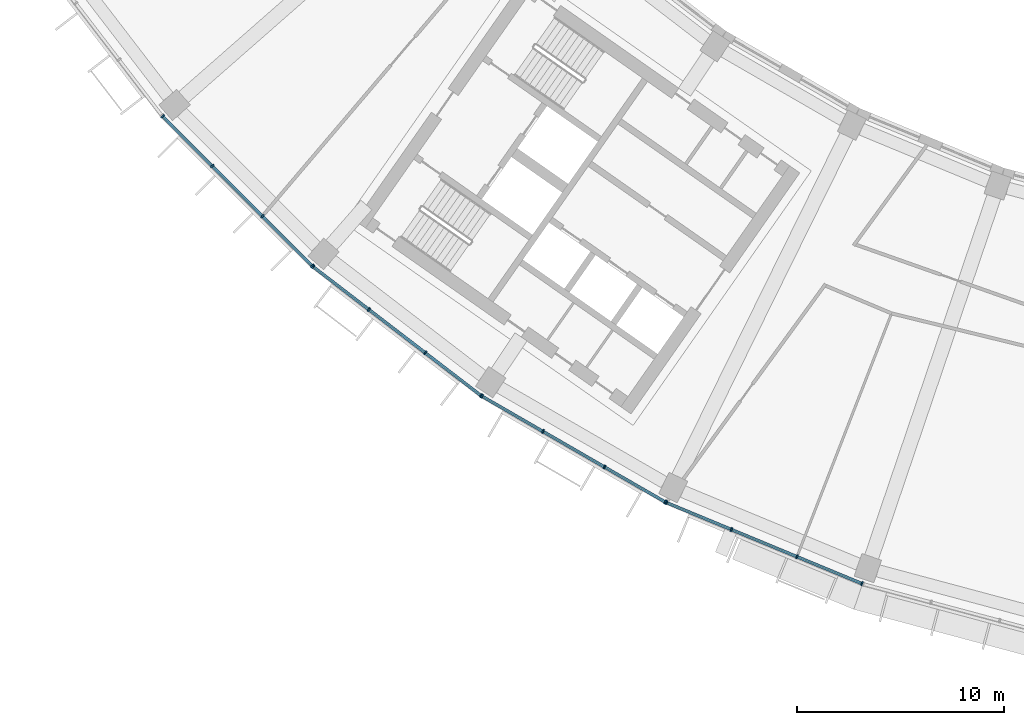
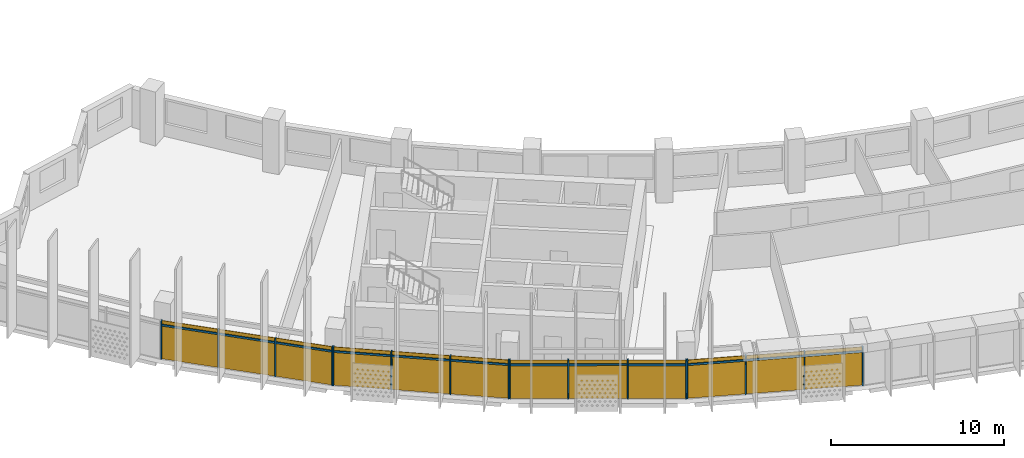
# One storey, part 17 of 28: 28 members, 4 curtain walls.
"""IFC4 building model written with IfcOpenShell, lengths in metres."""

from ifc_helpers import new_model, si_unit, direction, frame, origin, origin_2d, place, context, subcontext, project, spatial, rectangle, extrude, material, material_profile, profile_set, type_object, element, aggregate, save


model = new_model("IFC4")

# Units and contexts
model_context = context("Model", 3, precision=1e-05, world=origin(), true_north=direction((0.0, 1.0)))
body_context = subcontext(model_context, "Body", "Model", "MODEL_VIEW")
ifc_project = project(units=[si_unit("LENGTHUNIT", "METRE"), si_unit("AREAUNIT", "SQUARE_METRE"), si_unit("VOLUMEUNIT", "CUBIC_METRE"), si_unit("PLANEANGLEUNIT", "RADIAN"), si_unit("MASSUNIT", "GRAM", prefix="KILO")], contexts=[model_context])

# Member
ifc_material = material(Name="Aluminium 6063-T6 anodised", Category="aluminium")
ifc_material_profile_1 = material_profile(ifc_material, rectangle(XDim=0.199951171875, YDim=0.070068359375, at=origin_2d()))
ifc_profile_set_1 = profile_set([ifc_material_profile_1], Name="Aluminium 6063-T6 anodised")
member_type_1 = type_object("IfcMemberType", Name="Mullion 70 x 200 aluminium", PredefinedType="MULLION", material=ifc_profile_set_1)
site_placement = place(None, origin())
building_placement = place(site_placement, origin())
storey_placement = place(building_placement, frame((0.0, 0.0, 226.5)))
member_1_placement = place(storey_placement, frame((-59.03662109375, -51.8115234375, 0.0), z_axis=(0.0, 0.0, 1.0), x_axis=(0.707106781187, 0.707106781187, 0.0)))
member_1 = element("IfcMember", 1, at=member_1_placement, type_object=member_type_1, Name="e-cw1-L54-out02/M00", PredefinedType="MULLION", context=body_context, shape_type="SweptSolid", body=[
    extrude(rectangle(XDim=0.199951171875, YDim=0.070068359375, at=origin_2d()), origin(), (0.0, 0.0, 1.0), 2.699951171875),
])

member_2_placement = place(storey_placement, frame((-56.63671875, -54.211669921875, 0.0), z_axis=(0.0, 0.0, 1.0), x_axis=(0.707106781187, 0.707106781187, 0.0)))
member_2 = element("IfcMember", 2, at=member_2_placement, type_object=member_type_1, Name="e-cw1-L54-out02/M01", PredefinedType="MULLION", context=body_context, shape_type="SweptSolid", body=[
    extrude(rectangle(XDim=0.199951171875, YDim=0.070068359375, at=origin_2d()), origin(), (0.0, 0.0, 1.0), 2.699951171875),
])

member_3_placement = place(storey_placement, frame((-54.211669921875, -56.63671875, 0.0), z_axis=(0.0, 0.0, 1.0), x_axis=(0.707106781187, 0.707106781187, 0.0)))
member_3 = element("IfcMember", 3, at=member_3_placement, type_object=member_type_1, Name="e-cw1-L54-out02/M02", PredefinedType="MULLION", context=body_context, shape_type="SweptSolid", body=[
    extrude(rectangle(XDim=0.199951171875, YDim=0.070068359375, at=origin_2d()), origin(), (0.0, 0.0, 1.0), 2.699951171875),
])

member_4_placement = place(storey_placement, frame((-51.8115234375, -59.03662109375, 0.0), z_axis=(0.0, 0.0, 1.0), x_axis=(0.707106781187, 0.707106781187, 0.0)))
member_4 = element("IfcMember", 4, at=member_4_placement, type_object=member_type_1, Name="e-cw1-L54-out02/M03", PredefinedType="MULLION", context=body_context, shape_type="SweptSolid", body=[
    extrude(rectangle(XDim=0.199951171875, YDim=0.070068359375, at=origin_2d()), origin(), (0.0, 0.0, 1.0), 2.699951171875),
])

member_5_placement = place(storey_placement, frame((-51.768798828125, -59.07421875, 0.0), z_axis=(0.0, 0.0, 1.0), x_axis=(0.608761429009, 0.793353340291, 0.0)))
member_5 = element("IfcMember", 5, at=member_5_placement, type_object=member_type_1, Name="e-cw1-L54-out03/M00", PredefinedType="MULLION", context=body_context, shape_type="SweptSolid", body=[
    extrude(rectangle(XDim=0.199951171875, YDim=0.070068359375, at=origin_2d()), origin(), (0.0, 0.0, 1.0), 2.699951171875),
])

member_6_placement = place(storey_placement, frame((-49.075927734375, -61.140380859375, 0.0), z_axis=(0.0, 0.0, 1.0), x_axis=(0.608761429009, 0.793353340291, 0.0)))
member_6 = element("IfcMember", 6, at=member_6_placement, type_object=member_type_1, Name="e-cw1-L54-out03/M01", PredefinedType="MULLION", context=body_context, shape_type="SweptSolid", body=[
    extrude(rectangle(XDim=0.199951171875, YDim=0.070068359375, at=origin_2d()), origin(), (0.0, 0.0, 1.0), 2.699951171875),
])

member_7_placement = place(storey_placement, frame((-46.35546875, -63.22802734375, 0.0), z_axis=(0.0, 0.0, 1.0), x_axis=(0.608761429009, 0.793353340291, 0.0)))
member_7 = element("IfcMember", 7, at=member_7_placement, type_object=member_type_1, Name="e-cw1-L54-out03/M02", PredefinedType="MULLION", context=body_context, shape_type="SweptSolid", body=[
    extrude(rectangle(XDim=0.199951171875, YDim=0.070068359375, at=origin_2d()), origin(), (0.0, 0.0, 1.0), 2.699951171875),
])

member_8_placement = place(storey_placement, frame((-43.66259765625, -65.29443359375, 0.0), z_axis=(0.0, 0.0, 1.0), x_axis=(0.608761429009, 0.793353340291, 0.0)))
member_8 = element("IfcMember", 8, at=member_8_placement, type_object=member_type_1, Name="e-cw1-L54-out03/M03", PredefinedType="MULLION", context=body_context, shape_type="SweptSolid", body=[
    extrude(rectangle(XDim=0.199951171875, YDim=0.070068359375, at=origin_2d()), origin(), (0.0, 0.0, 1.0), 2.699951171875),
])

member_9_placement = place(storey_placement, frame((-43.615234375, -65.325927734375, 0.0), z_axis=(0.0, 0.0, 1.0), x_axis=(0.5, 0.866025403784, 0.0)))
member_9 = element("IfcMember", 9, at=member_9_placement, type_object=member_type_1, Name="e-cw1-L54-out04/M00", PredefinedType="MULLION", context=body_context, shape_type="SweptSolid", body=[
    extrude(rectangle(XDim=0.199951171875, YDim=0.070068359375, at=origin_2d()), origin(), (0.0, 0.0, 1.0), 2.699951171875),
])

member_10_placement = place(storey_placement, frame((-40.67578125, -67.023193359375, 0.0), z_axis=(0.0, 0.0, 1.0), x_axis=(0.5, 0.866025403784, 0.0)))
member_10 = element("IfcMember", 10, at=member_10_placement, type_object=member_type_1, Name="e-cw1-L54-out04/M01", PredefinedType="MULLION", context=body_context, shape_type="SweptSolid", body=[
    extrude(rectangle(XDim=0.199951171875, YDim=0.070068359375, at=origin_2d()), origin(), (0.0, 0.0, 1.0), 2.699951171875),
])

member_11_placement = place(storey_placement, frame((-37.705810546875, -68.73779296875, 0.0), z_axis=(0.0, 0.0, 1.0), x_axis=(0.5, 0.866025403784, 0.0)))
member_11 = element("IfcMember", 11, at=member_11_placement, type_object=member_type_1, Name="e-cw1-L54-out04/M02", PredefinedType="MULLION", context=body_context, shape_type="SweptSolid", body=[
    extrude(rectangle(XDim=0.199951171875, YDim=0.070068359375, at=origin_2d()), origin(), (0.0, 0.0, 1.0), 2.699951171875),
])

member_12_placement = place(storey_placement, frame((-34.766357421875, -70.43505859375, 0.0), z_axis=(0.0, 0.0, 1.0), x_axis=(0.5, 0.866025403784, 0.0)))
member_12 = element("IfcMember", 12, at=member_12_placement, type_object=member_type_1, Name="e-cw1-L54-out04/M03", PredefinedType="MULLION", context=body_context, shape_type="SweptSolid", body=[
    extrude(rectangle(XDim=0.199951171875, YDim=0.070068359375, at=origin_2d()), origin(), (0.0, 0.0, 1.0), 2.699951171875),
])

member_13_placement = place(storey_placement, frame((-34.71533203125, -70.4599609375, 0.0), z_axis=(0.0, 0.0, 1.0), x_axis=(0.382683432365, 0.923879532511, 0.0)))
member_13 = element("IfcMember", 13, at=member_13_placement, type_object=member_type_1, Name="e-cw1-L54-out05/M00", PredefinedType="MULLION", context=body_context, shape_type="SweptSolid", body=[
    extrude(rectangle(XDim=0.199951171875, YDim=0.070068359375, at=origin_2d()), origin(), (0.0, 0.0, 1.0), 2.699951171875),
])

member_14_placement = place(storey_placement, frame((-31.57958984375, -71.759033203125, 0.0), z_axis=(0.0, 0.0, 1.0), x_axis=(0.382683432365, 0.923879532511, 0.0)))
member_14 = element("IfcMember", 14, at=member_14_placement, type_object=member_type_1, Name="e-cw1-L54-out05/M01", PredefinedType="MULLION", context=body_context, shape_type="SweptSolid", body=[
    extrude(rectangle(XDim=0.199951171875, YDim=0.070068359375, at=origin_2d()), origin(), (0.0, 0.0, 1.0), 2.699951171875),
])

member_15_placement = place(storey_placement, frame((-28.4111328125, -73.0712890625, 0.0), z_axis=(0.0, 0.0, 1.0), x_axis=(0.382683432365, 0.923879532511, 0.0)))
member_15 = element("IfcMember", 15, at=member_15_placement, type_object=member_type_1, Name="e-cw1-L54-out05/M02", PredefinedType="MULLION", context=body_context, shape_type="SweptSolid", body=[
    extrude(rectangle(XDim=0.199951171875, YDim=0.070068359375, at=origin_2d()), origin(), (0.0, 0.0, 1.0), 2.699951171875),
])

member_16_placement = place(storey_placement, frame((-25.275390625, -74.370361328125, 0.0), z_axis=(0.0, 0.0, 1.0), x_axis=(0.382683432365, 0.923879532511, 0.0)))
member_16 = element("IfcMember", 16, at=member_16_placement, type_object=member_type_1, Name="e-cw1-L54-out05/M03", PredefinedType="MULLION", context=body_context, shape_type="SweptSolid", body=[
    extrude(rectangle(XDim=0.199951171875, YDim=0.070068359375, at=origin_2d()), origin(), (0.0, 0.0, 1.0), 2.699951171875),
])

ifc_material_profile_2 = material_profile(ifc_material, rectangle(XDim=0.139892578125, YDim=0.1201171875, at=origin_2d()))
ifc_profile_set_2 = profile_set([ifc_material_profile_2], Name="Aluminium 6063-T6 anodised")
member_type_2 = type_object("IfcMemberType", Name="Transom 120 x 140 aluminium", PredefinedType="USERDEFINED", material=ifc_profile_set_2)
member_17_placement = place(storey_placement, frame((-59.011962890625, -51.83642578125, 2.39990234375), z_axis=(0.707106781187, -0.707106781187, 0.0), x_axis=(0.707106781187, 0.707106781187, 0.0)))
member_17 = element("IfcMember", 17, at=member_17_placement, type_object=member_type_2, Name="e-cw1-L54-out02/T00", ObjectType="TRANSOM", PredefinedType="USERDEFINED", context=body_context, shape_type="SweptSolid", body=[
    extrude(rectangle(XDim=0.139892578125, YDim=0.1201171875, at=origin_2d()), origin(), (0.0, 0.0, 1.0), 3.32421875),
])

member_18_placement = place(storey_placement, frame((-56.61181640625, -54.236572265625, 2.39990234375), z_axis=(0.707106781187, -0.707106781187, 0.0), x_axis=(0.707106781187, 0.707106781187, 0.0)))
member_18 = element("IfcMember", 18, at=member_18_placement, type_object=member_type_2, Name="e-cw1-L54-out02/T01", ObjectType="TRANSOM", PredefinedType="USERDEFINED", context=body_context, shape_type="SweptSolid", body=[
    extrude(rectangle(XDim=0.139892578125, YDim=0.1201171875, at=origin_2d()), origin(), (0.0, 0.0, 1.0), 3.359130859375),
])

member_19_placement = place(storey_placement, frame((-54.18701171875, -56.661376953125, 2.39990234375), z_axis=(0.707106781187, -0.707106781187, 0.0), x_axis=(0.707106781187, 0.707106781187, 0.0)))
member_19 = element("IfcMember", 19, at=member_19_placement, type_object=member_type_2, Name="e-cw1-L54-out02/T02", ObjectType="TRANSOM", PredefinedType="USERDEFINED", context=body_context, shape_type="SweptSolid", body=[
    extrude(rectangle(XDim=0.139892578125, YDim=0.1201171875, at=origin_2d()), origin(), (0.0, 0.0, 1.0), 3.32421875),
])

member_20_placement = place(storey_placement, frame((-51.7412109375, -59.095458984375, 2.39990234375), z_axis=(0.793368713958, -0.608741393132, 0.0), x_axis=(0.608741393132, 0.793368713958, 0.0)))
member_20 = element("IfcMember", 20, at=member_20_placement, type_object=member_type_2, Name="e-cw1-L54-out03/T00", ObjectType="TRANSOM", PredefinedType="USERDEFINED", context=body_context, shape_type="SweptSolid", body=[
    extrude(rectangle(XDim=0.139892578125, YDim=0.1201171875, at=origin_2d()), origin(), (0.0, 0.0, 1.0), 3.324462890625),
])

member_21_placement = place(storey_placement, frame((-49.04833984375, -61.161865234375, 2.39990234375), z_axis=(0.793385234627, -0.608719861247, 0.0), x_axis=(0.608719861247, 0.793385234627, 0.0)))
member_21 = element("IfcMember", 21, at=member_21_placement, type_object=member_type_2, Name="e-cw1-L54-out03/T01", ObjectType="TRANSOM", PredefinedType="USERDEFINED", context=body_context, shape_type="SweptSolid", body=[
    extrude(rectangle(XDim=0.139892578125, YDim=0.1201171875, at=origin_2d()), origin(), (0.0, 0.0, 1.0), 3.359375),
])

member_22_placement = place(storey_placement, frame((-46.32763671875, -63.24951171875, 2.39990234375), z_axis=(0.793368713958, -0.608741393132, 0.0), x_axis=(0.608741393132, 0.793368713958, 0.0)))
member_22 = element("IfcMember", 22, at=member_22_placement, type_object=member_type_2, Name="e-cw1-L54-out03/T02", ObjectType="TRANSOM", PredefinedType="USERDEFINED", context=body_context, shape_type="SweptSolid", body=[
    extrude(rectangle(XDim=0.139892578125, YDim=0.1201171875, at=origin_2d()), origin(), (0.0, 0.0, 1.0), 3.324462890625),
])

member_23_placement = place(storey_placement, frame((-43.5849609375, -65.343505859375, 2.39990234375), z_axis=(0.866029041019, -0.499993700073, 0.0), x_axis=(0.499993700073, 0.866029041019, 0.0)))
member_23 = element("IfcMember", 23, at=member_23_placement, type_object=member_type_2, Name="e-cw1-L54-out04/T00", ObjectType="TRANSOM", PredefinedType="USERDEFINED", context=body_context, shape_type="SweptSolid", body=[
    extrude(rectangle(XDim=0.139892578125, YDim=0.1201171875, at=origin_2d()), origin(), (0.0, 0.0, 1.0), 3.32421875),
])

member_24_placement = place(storey_placement, frame((-40.6455078125, -67.04052734375, 2.39990234375), z_axis=(0.866034314054, -0.499984566643, 0.0), x_axis=(0.499984566643, 0.866034314054, 0.0)))
member_24 = element("IfcMember", 24, at=member_24_placement, type_object=member_type_2, Name="e-cw1-L54-out04/T01", ObjectType="TRANSOM", PredefinedType="USERDEFINED", context=body_context, shape_type="SweptSolid", body=[
    extrude(rectangle(XDim=0.139892578125, YDim=0.1201171875, at=origin_2d()), origin(), (0.0, 0.0, 1.0), 3.359375),
])

member_25_placement = place(storey_placement, frame((-37.675537109375, -68.75537109375, 2.39990234375), z_axis=(0.866029041019, -0.499993700073, 0.0), x_axis=(0.499993700073, 0.866029041019, 0.0)))
member_25 = element("IfcMember", 25, at=member_25_placement, type_object=member_type_2, Name="e-cw1-L54-out04/T02", ObjectType="TRANSOM", PredefinedType="USERDEFINED", context=body_context, shape_type="SweptSolid", body=[
    extrude(rectangle(XDim=0.139892578125, YDim=0.1201171875, at=origin_2d()), origin(), (0.0, 0.0, 1.0), 3.32421875),
])

member_26_placement = place(storey_placement, frame((-34.68310546875, -70.473388671875, 2.39990234375), z_axis=(0.923874511193, -0.382695554676, 0.0), x_axis=(0.382695554676, 0.923874511193, 0.0)))
member_26 = element("IfcMember", 26, at=member_26_placement, type_object=member_type_2, Name="e-cw1-L54-out05/T00", ObjectType="TRANSOM", PredefinedType="USERDEFINED", context=body_context, shape_type="SweptSolid", body=[
    extrude(rectangle(XDim=0.139892578125, YDim=0.1201171875, at=origin_2d()), origin(), (0.0, 0.0, 1.0), 3.324462890625),
])

member_27_placement = place(storey_placement, frame((-31.547119140625, -71.7724609375, 2.39990234375), z_axis=(0.923891938088, -0.38265348128, 0.0), x_axis=(0.38265348128, 0.923891938088, 0.0)))
member_27 = element("IfcMember", 27, at=member_27_placement, type_object=member_type_2, Name="e-cw1-L54-out05/T01", ObjectType="TRANSOM", PredefinedType="USERDEFINED", context=body_context, shape_type="SweptSolid", body=[
    extrude(rectangle(XDim=0.139892578125, YDim=0.1201171875, at=origin_2d()), origin(), (0.0, 0.0, 1.0), 3.359130859375),
])

member_28_placement = place(storey_placement, frame((-28.37890625, -73.084716796875, 2.39990234375), z_axis=(0.923874511193, -0.382695554676, 0.0), x_axis=(0.382695554676, 0.923874511193, 0.0)))
member_28 = element("IfcMember", 28, at=member_28_placement, type_object=member_type_2, Name="e-cw1-L54-out05/T02", ObjectType="TRANSOM", PredefinedType="USERDEFINED", context=body_context, shape_type="SweptSolid", body=[
    extrude(rectangle(XDim=0.139892578125, YDim=0.1201171875, at=origin_2d()), origin(), (0.0, 0.0, 1.0), 3.324462890625),
])

# Site, building, storey
site = spatial("IfcSite", under=ifc_project, at=site_placement, CompositionType="ELEMENT")
building = spatial("IfcBuilding", under=site, at=building_placement, Name="Qamariyya Broadcast Tower", CompositionType="ELEMENT")
storey = spatial("IfcBuildingStorey", under=building, at=storey_placement, Name="L54", CompositionType="ELEMENT", Elevation=226.5)

# Curtain wall
curtain_wall_type = type_object("IfcCurtainWallType", Name="Unitised curtain wall, anodised aluminium", PredefinedType="NOTDEFINED", material=ifc_material)
curtain_wall_1_placement = place(storey_placement, origin())
curtain_wall_1 = element("IfcCurtainWall", 29, at=curtain_wall_1_placement, inside=storey, type_object=curtain_wall_type, Name="e-cw1-L54-out02", PredefinedType="NOTDEFINED", context=body_context, shape_type="SweptSolid", body=[
    extrude(rectangle(XDim=3.32421875, YDim=0.031982421875, at=origin_2d()), frame((-57.836669921875, -53.01171875, 0.0), x_axis=(0.707106781187, -0.707106781187, 0.0)), (0.0, 0.0, 1.0), 2.340087890625),
    extrude(rectangle(XDim=3.32421875, YDim=0.031982421875, at=origin_2d()), frame((-57.836669921875, -53.01171875, 2.4599609375), x_axis=(0.707106781187, -0.707106781187, 0.0)), (0.0, 0.0, 1.0), 0.239990234375),
    extrude(rectangle(XDim=3.359375, YDim=0.031982421875, at=origin_2d()), frame((-55.42431640625, -55.42431640625, 0.0), x_axis=(0.707106781187, -0.707106781187, 0.0)), (0.0, 0.0, 1.0), 2.340087890625),
    extrude(rectangle(XDim=3.359375, YDim=0.031982421875, at=origin_2d()), frame((-55.42431640625, -55.42431640625, 2.4599609375), x_axis=(0.707106781187, -0.707106781187, 0.0)), (0.0, 0.0, 1.0), 0.239990234375),
    extrude(rectangle(XDim=3.32421875, YDim=0.031982421875, at=origin_2d()), frame((-53.01171875, -57.836669921875, 0.0), x_axis=(0.707106781187, -0.707106781187, 0.0)), (0.0, 0.0, 1.0), 2.340087890625),
    extrude(rectangle(XDim=3.32421875, YDim=0.031982421875, at=origin_2d()), frame((-53.01171875, -57.836669921875, 2.4599609375), x_axis=(0.707106781187, -0.707106781187, 0.0)), (0.0, 0.0, 1.0), 0.239990234375),
])

aggregate(curtain_wall_1, [member_1, member_2, member_3, member_4, member_17, member_18, member_19])

curtain_wall_2_placement = place(storey_placement, origin())
curtain_wall_2 = element("IfcCurtainWall", 30, at=curtain_wall_2_placement, inside=storey, type_object=curtain_wall_type, Name="e-cw1-L54-out03", PredefinedType="NOTDEFINED", context=body_context, shape_type="SweptSolid", body=[
    extrude(rectangle(XDim=3.32421875, YDim=0.031982421875, at=origin_2d()), frame((-50.42236328125, -60.107421875, 0.0), x_axis=(0.793359168734, -0.608753833159, 0.0)), (0.0, 0.0, 1.0), 2.340087890625),
    extrude(rectangle(XDim=3.32421875, YDim=0.031982421875, at=origin_2d()), frame((-50.42236328125, -60.107421875, 2.4599609375), x_axis=(0.793359168734, -0.608753833159, 0.0)), (0.0, 0.0, 1.0), 0.239990234375),
    extrude(rectangle(XDim=3.359130859375, YDim=0.031982421875, at=origin_2d()), frame((-47.7158203125, -62.184326171875, 0.0), x_axis=(0.793359168734, -0.608753833159, 0.0)), (0.0, 0.0, 1.0), 2.340087890625),
    extrude(rectangle(XDim=3.359130859375, YDim=0.031982421875, at=origin_2d()), frame((-47.7158203125, -62.184326171875, 2.4599609375), x_axis=(0.793359168734, -0.608753833159, 0.0)), (0.0, 0.0, 1.0), 0.239990234375),
    extrude(rectangle(XDim=3.32421875, YDim=0.031982421875, at=origin_2d()), frame((-45.009033203125, -64.26123046875, 0.0), x_axis=(0.793359168734, -0.608753833159, 0.0)), (0.0, 0.0, 1.0), 2.340087890625),
    extrude(rectangle(XDim=3.32421875, YDim=0.031982421875, at=origin_2d()), frame((-45.009033203125, -64.26123046875, 2.4599609375), x_axis=(0.793359168734, -0.608753833159, 0.0)), (0.0, 0.0, 1.0), 0.239990234375),
])

aggregate(curtain_wall_2, [member_5, member_6, member_7, member_8, member_20, member_21, member_22])

curtain_wall_3_placement = place(storey_placement, origin())
curtain_wall_3 = element("IfcCurtainWall", 31, at=curtain_wall_3_placement, inside=storey, type_object=curtain_wall_type, Name="e-cw1-L54-out04", PredefinedType="NOTDEFINED", context=body_context, shape_type="SweptSolid", body=[
    extrude(rectangle(XDim=3.32421875, YDim=0.031982421875, at=origin_2d()), frame((-42.1455078125, -66.174560546875, 0.0), x_axis=(0.866027904674, -0.499995668308, 0.0)), (0.0, 0.0, 1.0), 2.340087890625),
    extrude(rectangle(XDim=3.32421875, YDim=0.031982421875, at=origin_2d()), frame((-42.1455078125, -66.174560546875, 2.4599609375), x_axis=(0.866027904674, -0.499995668308, 0.0)), (0.0, 0.0, 1.0), 0.239990234375),
    extrude(rectangle(XDim=3.359130859375, YDim=0.031982421875, at=origin_2d()), frame((-39.19091796875, -67.88037109375, 0.0), x_axis=(0.866027904674, -0.499995668308, 0.0)), (0.0, 0.0, 1.0), 2.340087890625),
    extrude(rectangle(XDim=3.359130859375, YDim=0.031982421875, at=origin_2d()), frame((-39.19091796875, -67.88037109375, 2.4599609375), x_axis=(0.866027904674, -0.499995668308, 0.0)), (0.0, 0.0, 1.0), 0.239990234375),
    extrude(rectangle(XDim=3.32421875, YDim=0.031982421875, at=origin_2d()), frame((-36.236083984375, -69.58642578125, 0.0), x_axis=(0.866027904674, -0.499995668308, 0.0)), (0.0, 0.0, 1.0), 2.340087890625),
    extrude(rectangle(XDim=3.32421875, YDim=0.031982421875, at=origin_2d()), frame((-36.236083984375, -69.58642578125, 2.4599609375), x_axis=(0.866027904674, -0.499995668308, 0.0)), (0.0, 0.0, 1.0), 0.239990234375),
])

aggregate(curtain_wall_3, [member_9, member_10, member_11, member_12, member_23, member_24, member_25])

curtain_wall_4_placement = place(storey_placement, origin())
curtain_wall_4 = element("IfcCurtainWall", 32, at=curtain_wall_4_placement, inside=storey, type_object=curtain_wall_type, Name="e-cw1-L54-out05", PredefinedType="NOTDEFINED", context=body_context, shape_type="SweptSolid", body=[
    extrude(rectangle(XDim=3.32421875, YDim=0.031982421875, at=origin_2d()), frame((-33.1474609375, -71.109375, 0.0), x_axis=(0.923880895135, -0.382680142683, 0.0)), (0.0, 0.0, 1.0), 2.340087890625),
    extrude(rectangle(XDim=3.32421875, YDim=0.031982421875, at=origin_2d()), frame((-33.1474609375, -71.109375, 2.4599609375), x_axis=(0.923880895135, -0.382680142683, 0.0)), (0.0, 0.0, 1.0), 0.239990234375),
    extrude(rectangle(XDim=3.359375, YDim=0.031982421875, at=origin_2d()), frame((-29.995361328125, -72.4150390625, 0.0), x_axis=(0.923880895135, -0.382680142683, 0.0)), (0.0, 0.0, 1.0), 2.340087890625),
    extrude(rectangle(XDim=3.359375, YDim=0.031982421875, at=origin_2d()), frame((-29.995361328125, -72.4150390625, 2.4599609375), x_axis=(0.923880895135, -0.382680142683, 0.0)), (0.0, 0.0, 1.0), 0.239990234375),
    extrude(rectangle(XDim=3.32421875, YDim=0.031982421875, at=origin_2d()), frame((-26.84326171875, -73.720703125, 0.0), x_axis=(0.923880895135, -0.382680142683, 0.0)), (0.0, 0.0, 1.0), 2.340087890625),
    extrude(rectangle(XDim=3.32421875, YDim=0.031982421875, at=origin_2d()), frame((-26.84326171875, -73.720703125, 2.4599609375), x_axis=(0.923880895135, -0.382680142683, 0.0)), (0.0, 0.0, 1.0), 0.239990234375),
])

aggregate(curtain_wall_4, [member_13, member_14, member_15, member_16, member_26, member_27, member_28])

save(model, "model.ifc")
